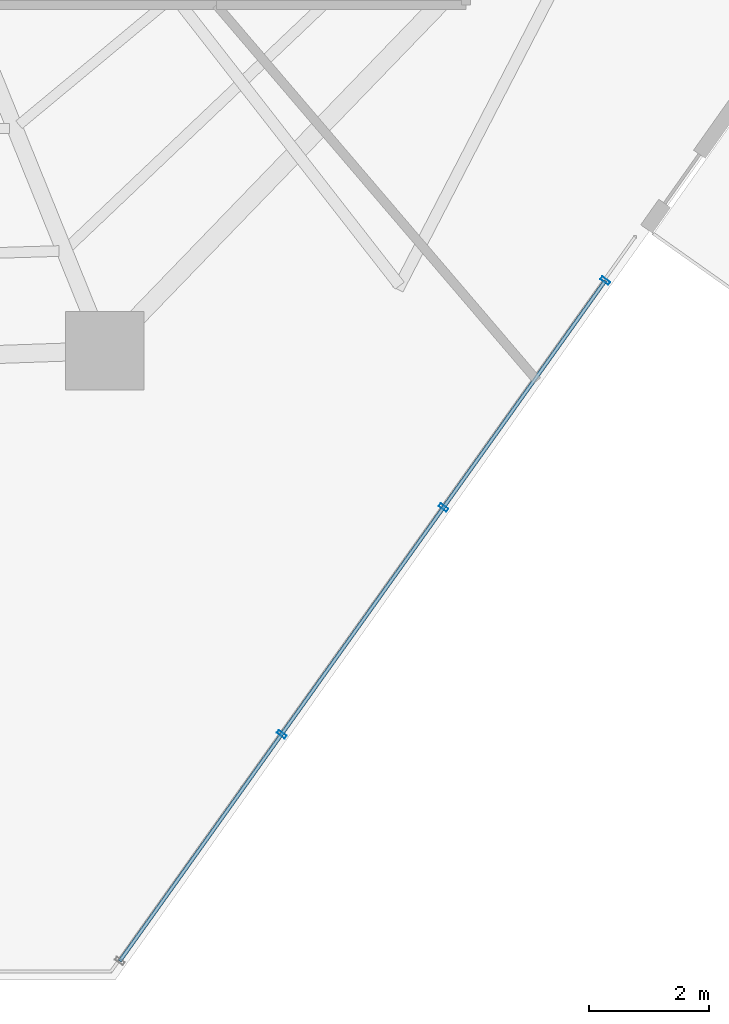
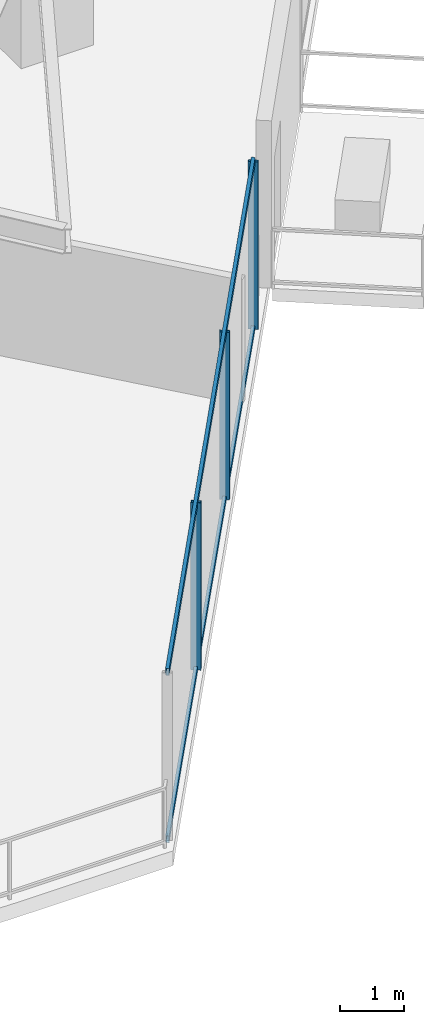
# One storey, part 11 of 30: 5 members, 1 element without a shape of its own.
"""IFC4 building model written with IfcOpenShell, lengths in metres."""

from ifc_helpers import new_model, si_unit, direction, frame, origin, origin_2d, place, context, subcontext, project, spatial, hollow_rectangle, extrude, material, layer, layer_set, material_profile, profile_set, type_object, element, aggregate, save


model = new_model("IFC4")

# Units and contexts
model_context = context("Model", 3, precision=1e-05, world=origin(), true_north=direction((0.0, 1.0)))
body_context = subcontext(model_context, "Body", "Model", "MODEL_VIEW")
ifc_project = project(units=[si_unit("LENGTHUNIT", "METRE"), si_unit("AREAUNIT", "SQUARE_METRE"), si_unit("VOLUMEUNIT", "CUBIC_METRE"), si_unit("PLANEANGLEUNIT", "RADIAN"), si_unit("MASSUNIT", "GRAM", prefix="KILO")], contexts=[model_context])

# Site, building, storey
site_placement = place(None, origin())
site = spatial("IfcSite", under=ifc_project, at=site_placement, CompositionType="ELEMENT")
building_placement = place(site_placement, origin())
building = spatial("IfcBuilding", under=site, at=building_placement, Name="Qarnah Convention Tower", CompositionType="ELEMENT")
storey_placement = place(building_placement, frame((0.0, 0.0, 47.699951171875)))
storey = spatial("IfcBuildingStorey", under=building, at=storey_placement, Name="L11", CompositionType="ELEMENT", Elevation=47.699951171875)

# Curtain wall, members
ifc_material_1 = material(Name="Tempered Low-E dark glass", Category="glass")
ifc_layer = layer(ifc_material_1, 0.16796875)
ifc_layer_set = layer_set([ifc_layer], Name="Tempered Low-E dark glass")
curtain_wall_type = type_object("IfcCurtainWallType", Name="CWS-01", PredefinedType="NOTDEFINED", material=ifc_layer_set)
curtain_wall_placement = place(storey_placement, origin())
curtain_wall = element("IfcCurtainWall", 1, at=curtain_wall_placement, inside=storey, type_object=curtain_wall_type, Name="L11 unitised curtain wall CW-L11-F4", PredefinedType="NOTDEFINED")
ifc_material_2 = material(Name="Black anodised aluminium", Category="aluminium")
ifc_material_profile_1 = material_profile(ifc_material_2, hollow_rectangle(XDim=0.06005859375, YDim=0.159912109375, WallThickness=0.00390625, at=origin_2d()), Name="MUL-60X160")
ifc_profile_set_1 = profile_set([ifc_material_profile_1], Name="Black anodised aluminium")
member_type_1 = type_object("IfcMemberType", Name="MUL-T1", PredefinedType="MULLION", material=ifc_profile_set_1)
member_1_placement = place(storey_placement, frame((51.717041015625, 12.218994140625, 0.0), z_axis=(0.0, 0.0, 1.0), x_axis=(-0.580808992524, -0.814039872613, 0.0)))
member_1 = element("IfcMember", 2, at=member_1_placement, type_object=member_type_1, Name="CW-L11-F4 mullion 1", PredefinedType="MULLION", context=body_context, shape_type="SweptSolid", body=[
    extrude(hollow_rectangle(XDim=0.06005859375, YDim=0.159912109375, WallThickness=0.00390625, at=origin_2d()), origin(), (0.0, 0.0, 1.0), 3.170166015625),
])
member_2_placement = place(storey_placement, frame((49.0283203125, 8.45068359375, 0.0), z_axis=(0.0, 0.0, 1.0), x_axis=(-0.580808992524, -0.814039872613, 0.0)))
member_2 = element("IfcMember", 3, at=member_2_placement, type_object=member_type_1, Name="CW-L11-F4 mullion 2", PredefinedType="MULLION", context=body_context, shape_type="SweptSolid", body=[
    extrude(hollow_rectangle(XDim=0.06005859375, YDim=0.159912109375, WallThickness=0.00390625, at=origin_2d()), origin(), (0.0, 0.0, 1.0), 3.170166015625),
])
member_3_placement = place(storey_placement, frame((46.339599609375, 4.682373046875, 0.0), z_axis=(0.0, 0.0, 1.0), x_axis=(-0.580808992524, -0.814039872613, 0.0)))
member_3 = element("IfcMember", 4, at=member_3_placement, type_object=member_type_1, Name="CW-L11-F4 mullion 3", PredefinedType="MULLION", context=body_context, shape_type="SweptSolid", body=[
    extrude(hollow_rectangle(XDim=0.06005859375, YDim=0.159912109375, WallThickness=0.00390625, at=origin_2d()), origin(), (0.0, 0.0, 1.0), 3.170166015625),
])
ifc_material_profile_2 = material_profile(ifc_material_2, hollow_rectangle(XDim=0.06005859375, YDim=0.1298828125, WallThickness=0.00390625, at=origin_2d()), Name="TRN-60X130")
ifc_profile_set_2 = profile_set([ifc_material_profile_2], Name="Black anodised aluminium")
member_type_2 = type_object("IfcMemberType", Name="TRN-T1", PredefinedType="USERDEFINED", material=ifc_profile_set_2)
member_4_placement = place(storey_placement, frame((51.717041015625, 12.218994140625, 0.0), z_axis=(-0.580819052192, -0.81403269505, 0.0), x_axis=(0.81403269505, -0.580819052192, 0.0)))
member_4 = element("IfcMember", 5, at=member_4_placement, type_object=member_type_2, Name="CW-L11-F4 transom 1", ObjectType="TRANSOM", PredefinedType="USERDEFINED", context=body_context, shape_type="SweptSolid", body=[
    extrude(hollow_rectangle(XDim=0.06005859375, YDim=0.1298828125, WallThickness=0.00390625, at=origin_2d()), origin(), (0.0, 0.0, 1.0), 13.887451171875),
])
member_5_placement = place(storey_placement, frame((51.717041015625, 12.218994140625, 3.170166015625), z_axis=(-0.580819052192, -0.81403269505, 0.0), x_axis=(0.81403269505, -0.580819052192, 0.0)))
member_5 = element("IfcMember", 6, at=member_5_placement, type_object=member_type_2, Name="CW-L11-F4 transom 2", ObjectType="TRANSOM", PredefinedType="USERDEFINED", context=body_context, shape_type="SweptSolid", body=[
    extrude(hollow_rectangle(XDim=0.06005859375, YDim=0.1298828125, WallThickness=0.00390625, at=origin_2d()), origin(), (0.0, 0.0, 1.0), 13.887451171875),
])
aggregate(curtain_wall, [member_1, member_2, member_3, member_4, member_5])

save(model, "model.ifc")
